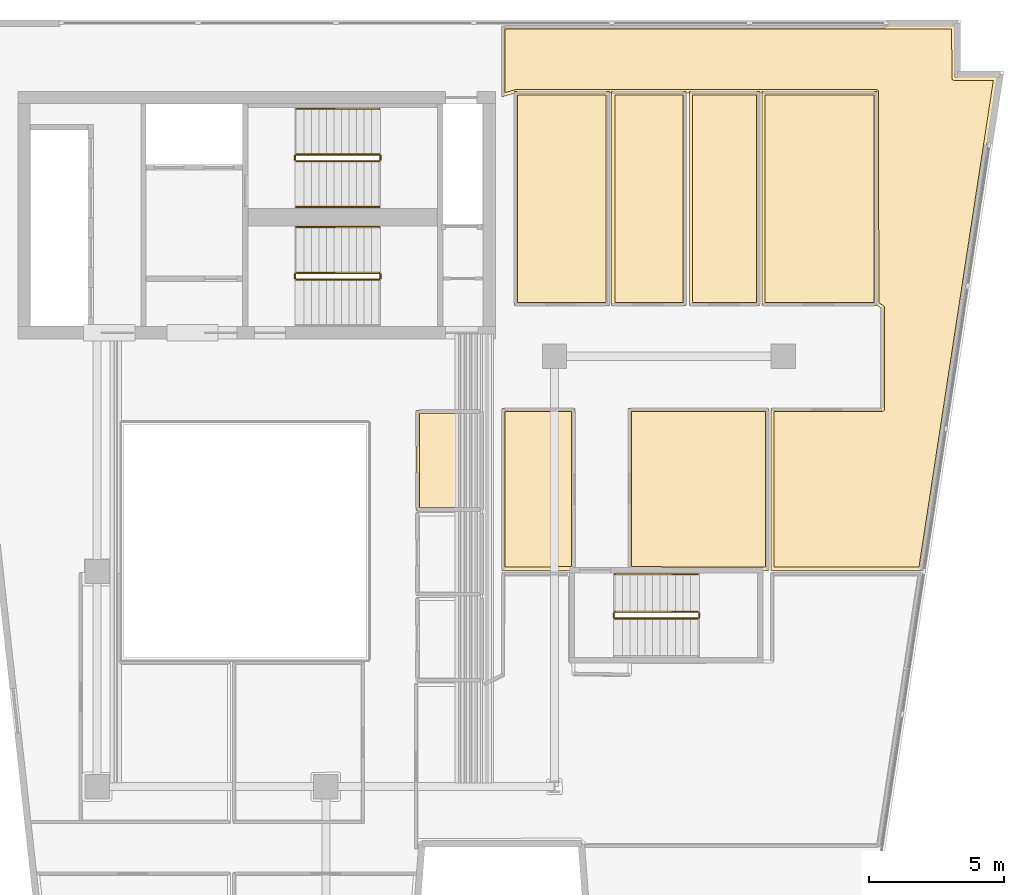
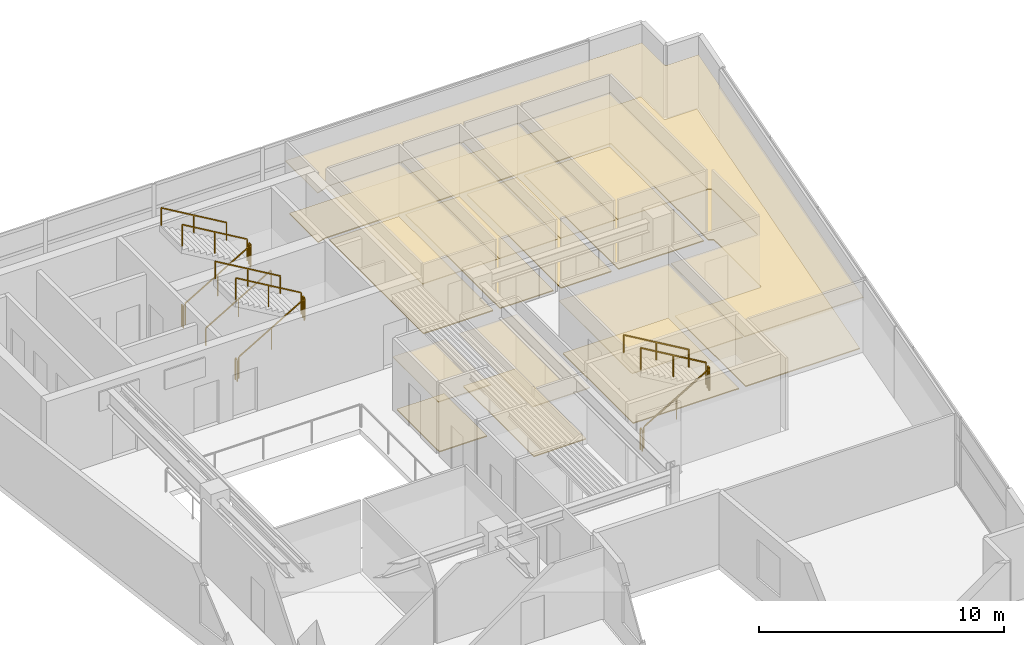
# One storey, part 8 of 8: 16 coverings, 16 railings.
"""IFC4 building model written with IfcOpenShell, lengths in metres."""

import ifcopenshell
import ifcopenshell.guid

model = None  # the IFC model being written
_history = None  # IfcOwnerHistory: only IFC2X3 demands one
_inside = {}  # id of a spatial element -> (the spatial element, [elements in it])
_under = {}  # id of a project, library or spatial element -> (it, [spatial elements below it])
_declared = {}  # id of a project -> (the project, [libraries it declares])
_typed = {}  # id of a type object -> (the type object, [elements of that type])
_made_of = {}  # id of a material, layer set ... -> (it, [elements and type objects made of it])


def new_model(schema):
    """Start an empty IFC model of exactly this schema.

    Asked for "IFC4X3", IfcOpenShell would pick the latest addendum, in which some entities
    have other attributes; the version numbers below select the first issue.
    IFC2X3 requires an IfcOwnerHistory on every rooted entity: one is made here for all.
    """
    global model, _history
    if schema == "IFC4X3":
        model = ifcopenshell.file(schema_version=(4, 3, 0, 0))
    else:
        model = ifcopenshell.file(schema=schema)
    _inside.clear()
    _under.clear()
    _declared.clear()
    _typed.clear()
    _made_of.clear()
    _history = None
    if model.schema == "IFC2X3":
        org = make("IfcOrganization", Name="unknown")
        user = make(
            "IfcPersonAndOrganization",
            ThePerson=make("IfcPerson", FamilyName="unknown"),
            TheOrganization=org,
        )
        app = make(
            "IfcApplication",
            ApplicationDeveloper=org,
            Version="unknown",
            ApplicationFullName="unknown",
            ApplicationIdentifier="unknown",
        )
        _history = make(
            "IfcOwnerHistory",
            OwningUser=user,
            OwningApplication=app,
            ChangeAction="ADDED",
            CreationDate=0,
        )
    return model


def make(cls, **values):
    """One entity of the class cls with the attributes given. An attribute that is None is left unset."""
    return model.create_entity(
        cls, **{name: value for name, value in values.items() if value is not None}
    )


def rooted(cls, **values):
    """An entity with a GlobalId (a new one), such as an element, a storey or a relation."""
    return make(cls, GlobalId=ifcopenshell.guid.new(), OwnerHistory=_history, **values)


def si_unit(unit_type, name, prefix=None):
    """IfcSIUnit, for example si_unit("LENGTHUNIT", "METRE", prefix="MILLI")."""
    return make("IfcSIUnit", UnitType=unit_type, Prefix=prefix, Name=name)


def assignment(units):
    """IfcUnitAssignment: the units of a project."""
    return None if units is None else make("IfcUnitAssignment", Units=units)


def point(xyz):
    """IfcCartesianPoint."""
    return None if xyz is None else make("IfcCartesianPoint", Coordinates=xyz)


def direction(xyz):
    """IfcDirection."""
    return None if xyz is None else make("IfcDirection", DirectionRatios=xyz)


def frame(location, z_axis=None, x_axis=None):
    """IfcAxis2Placement3D, a coordinate frame: its origin and axes. An axis left out is left unset."""
    return make(
        "IfcAxis2Placement3D",
        Location=point(location),
        Axis=direction(z_axis),
        RefDirection=direction(x_axis),
    )


def frame_2d(location, x_axis=None):
    """IfcAxis2Placement2D, a coordinate frame in the plane: its origin and x axis."""
    return make(
        "IfcAxis2Placement2D", Location=point(location), RefDirection=direction(x_axis)
    )


def origin():
    """The frame at (0, 0, 0) with its axes left unset."""
    return frame((0.0, 0.0, 0.0))


def origin_2d():
    """The frame at (0, 0) in the plane with its x axis left unset."""
    return frame_2d((0.0, 0.0))


def place(relative_to, where):
    """IfcLocalPlacement: puts the frame where relative to a parent placement (None: the world)."""
    return make(
        "IfcLocalPlacement", PlacementRelTo=relative_to, RelativePlacement=where
    )


def context(
    kind, dimensions, precision=None, world=None, true_north=None, identifier=None
):
    """IfcGeometricRepresentationContext, for example the 3D "Model" context."""
    return make(
        "IfcGeometricRepresentationContext",
        ContextIdentifier=identifier,
        ContextType=kind,
        CoordinateSpaceDimension=dimensions,
        Precision=precision,
        WorldCoordinateSystem=world,
        TrueNorth=true_north,
    )


def subcontext(parent, identifier, kind, view, scale=None):
    """IfcGeometricRepresentationSubContext, for example "Body" below "Model"."""
    return make(
        "IfcGeometricRepresentationSubContext",
        ContextIdentifier=identifier,
        ContextType=kind,
        ParentContext=parent,
        TargetScale=scale,
        TargetView=view,
    )


def project(units=None, contexts=None):
    """IfcProject with its units and contexts."""
    return rooted(
        "IfcProject",
        Name="project",
        RepresentationContexts=contexts,
        UnitsInContext=assignment(units),
    )


def spatial(cls, under=None, at=None, **own):
    """A site, building, storey or space (cls), placed at a placement, below another one or the project."""
    s = rooted(cls, ObjectPlacement=at, **own)
    if under is not None:
        _under.setdefault(under.id(), (under, []))[1].append(s)
    return s


def polyline(points):
    """IfcPolyline through the points."""
    return make("IfcPolyline", Points=[point(p) for p in points])


def profile(cls, at=None, kind="AREA", **sizes):
    """A parametric profile (cls). Its sizes go by their IFC names, for example OverallWidth=200.0."""
    return make(cls, ProfileType=kind, Position=at, **sizes)


def rectangle(**sizes):
    """IfcRectangleProfileDef."""
    return profile("IfcRectangleProfileDef", **sizes)


def outline(outer, holes=None, kind="AREA"):
    """IfcArbitraryClosedProfileDef: a profile drawn as a closed curve; with holes, ...WithVoids."""
    if holes is None:
        return make("IfcArbitraryClosedProfileDef", ProfileType=kind, OuterCurve=outer)
    return make(
        "IfcArbitraryProfileDefWithVoids",
        ProfileType=kind,
        OuterCurve=outer,
        InnerCurves=holes,
    )


def extrude(swept, where, along, depth):
    """IfcExtrudedAreaSolid: the profile swept, set in the frame where, extruded along a direction by depth."""
    return make(
        "IfcExtrudedAreaSolid",
        SweptArea=swept,
        Position=where,
        ExtrudedDirection=direction(along),
        Depth=depth,
    )


def shape(context_of_items, identifier, shape_type, items):
    """IfcShapeRepresentation: the items that make up one representation, for example the "Body"."""
    return make(
        "IfcShapeRepresentation",
        ContextOfItems=context_of_items,
        RepresentationIdentifier=identifier,
        RepresentationType=shape_type,
        Items=items,
    )


def material(Name=None, Category=None):
    """IfcMaterial."""
    return make("IfcMaterial", Name=Name, Category=Category)


def layer(
    of_material, thickness, ventilated=None, Name=None, Category=None, Priority=None
):
    """IfcMaterialLayer: one layer of a wall or slab, of a material (None: an air gap)."""
    return make(
        "IfcMaterialLayer",
        Material=of_material,
        LayerThickness=thickness,
        IsVentilated=ventilated,
        Name=Name,
        Category=Category,
        Priority=Priority,
    )


def layer_set(layers, Name=None):
    """IfcMaterialLayerSet."""
    return make("IfcMaterialLayerSet", MaterialLayers=layers, LayerSetName=Name)


def made_of(thing, what):
    """Note that an element or type object is made of a material, layer set ...; save() writes the relation."""
    if what is not None:
        _made_of.setdefault(what.id(), (what, []))[1].append(thing)
    return thing


def type_object(cls, material=None, **own):
    """A type object (cls), such as IfcWallType, which elements share."""
    return made_of(rooted(cls, **own), material)


def element(
    cls,
    number,
    at=None,
    inside=None,
    cuts=None,
    type_object=None,
    material=None,
    context=None,
    identifier="Body",
    shape_type=None,
    held_by="IfcProductDefinitionShape",
    body=None,
    shapes=None,
    **own,
):
    """One element of the class cls, such as IfcWall. Its Tag is "e" and its number.

    at: its placement. inside: the storey or other place that contains it. cuts: it is an
    opening in that element (IfcRelVoidsElement). A single representation is given by context,
    identifier, shape_type and body (its items); several are given by shapes. held_by: the class
    of the entity that holds the representations. save() writes the other relations.
    """
    e = rooted(cls, Tag="e%d" % number, ObjectPlacement=at, **own)
    if body is not None:
        shapes = [shape(context, identifier, shape_type, body)]
    if shapes is not None:
        e.Representation = make(held_by, Representations=shapes)
    if inside is not None:
        _inside.setdefault(inside.id(), (inside, []))[1].append(e)
    if cuts is not None:
        rooted(
            "IfcRelVoidsElement", RelatingBuildingElement=cuts, RelatedOpeningElement=e
        )
    if type_object is not None:
        _typed.setdefault(type_object.id(), (type_object, []))[1].append(e)
    return made_of(e, material)


def aggregate(whole, parts):
    """IfcRelAggregates: a whole, such as a stair, and the parts it consists of."""
    return rooted("IfcRelAggregates", RelatingObject=whole, RelatedObjects=parts)


def save(model, path):
    """Write the relations noted so far, then the file.

    IfcRelAggregates (storeys below a building ...), IfcRelContainedInSpatialStructure (elements
    in a storey), IfcRelDefinesByType, IfcRelAssociatesMaterial and IfcRelDeclares: one each for
    every whole, place, type object, material and project.
    """
    for whole, parts in _under.values():
        aggregate(whole, parts)
    for where, things in _inside.values():
        rooted(
            "IfcRelContainedInSpatialStructure",
            RelatedElements=things,
            RelatingStructure=where,
        )
    for kind, things in _typed.values():
        rooted("IfcRelDefinesByType", RelatedObjects=things, RelatingType=kind)
    for what, things in _made_of.values():
        rooted("IfcRelAssociatesMaterial", RelatedObjects=things, RelatingMaterial=what)
    for by, libraries in _declared.values():
        rooted("IfcRelDeclares", RelatingContext=by, RelatedDefinitions=libraries)
    model.write(path)


model = new_model("IFC4")

# Units and contexts
model_context = context("Model", 3, precision=1e-05, world=origin(), true_north=direction((0.0, 1.0)))
body_context = subcontext(model_context, "Body", "Model", "MODEL_VIEW")
ifc_project = project(units=[si_unit("LENGTHUNIT", "METRE"), si_unit("AREAUNIT", "SQUARE_METRE"), si_unit("VOLUMEUNIT", "CUBIC_METRE"), si_unit("PLANEANGLEUNIT", "RADIAN"), si_unit("MASSUNIT", "GRAM", prefix="KILO")], contexts=[model_context])

# Site, building, storey
site_placement = place(None, origin())
site = spatial("IfcSite", under=ifc_project, at=site_placement, CompositionType="ELEMENT")
building_placement = place(site_placement, origin())
building = spatial("IfcBuilding", under=site, at=building_placement, Name="Caeloran Harvest Quay", CompositionType="ELEMENT")
storey_placement = place(building_placement, frame((0.0, 0.0, 246.949951171875)))
storey = spatial("IfcBuildingStorey", under=building, at=storey_placement, Name="L59", CompositionType="ELEMENT", Elevation=246.949951171875)

# Coverings
ifc_material_1 = material(Name="Perforated Mineral-Fibre Acoustic Ceiling Tile", Category="ceiling")
ifc_layer_1 = layer(ifc_material_1, 0.0400390625, Name="Perforated Mineral-Fibre Acoustic Ceiling Tile")
ifc_layer_set_1 = layer_set([ifc_layer_1], Name="Perforated Mineral-Fibre Acoustic Ceiling Tile")
covering_type_1 = type_object("IfcCoveringType", Name="COV-CEILING-ACOUSTIC", PredefinedType="CEILING", material=ifc_layer_set_1)
covering_1_placement = place(storey_placement, frame((0.0, 0.0, 2.60009765625)))
element("IfcCovering", 1, at=covering_1_placement, inside=storey, type_object=covering_type_1, Name="L59 Bioinformatics Briefing Lounge Acoustic Ceiling", PredefinedType="CEILING", context=body_context, shape_type="SweptSolid", body=[
    extrude(outline(polyline([(27.5400390625, 40.840087890625), (27.5400390625, 32.8798828125), (24.010009765625, 32.8798828125), (24.010009765625, 40.840087890625), (27.5400390625, 40.840087890625)])), origin(), (0.0, 0.0, 1.0), 0.0400390625),
])
covering_2_placement = place(storey_placement, frame((0.0, 0.0, 2.60009765625)))
element("IfcCovering", 2, at=covering_2_placement, inside=storey, type_object=covering_type_1, Name="L59 Seed Imaging Laboratory Acoustic Ceiling", PredefinedType="CEILING", context=body_context, shape_type="SweptSolid", body=[
    extrude(outline(polyline([(30.389892578125, 40.840087890625), (30.389892578125, 32.8798828125), (27.6201171875, 32.8798828125), (27.6201171875, 40.840087890625), (30.389892578125, 40.840087890625)])), origin(), (0.0, 0.0, 1.0), 0.0400390625),
])
covering_3_placement = place(storey_placement, frame((0.0, 0.0, 2.60009765625)))
element("IfcCovering", 3, at=covering_3_placement, inside=storey, type_object=covering_type_1, Name="L59 Genomics Seminar West Room Acoustic Ceiling", PredefinedType="CEILING", context=body_context, shape_type="SweptSolid", body=[
    extrude(outline(polyline([(33.1298828125, 40.840087890625), (33.1298828125, 32.8798828125), (30.510009765625, 32.8798828125), (30.510009765625, 40.840087890625), (33.1298828125, 40.840087890625)])), origin(), (0.0, 0.0, 1.0), 0.0400390625),
])
covering_4_placement = place(storey_placement, frame((0.0, 0.0, 2.60009765625)))
element("IfcCovering", 4, at=covering_4_placement, inside=storey, type_object=covering_type_1, Name="L59 Executive Archive East Studio Acoustic Ceiling", PredefinedType="CEILING", context=body_context, shape_type="SweptSolid", body=[
    extrude(outline(polyline([(37.489990234375, 40.840087890625), (37.489990234375, 32.8798828125), (33.2099609375, 32.8798828125), (33.2099609375, 40.840087890625), (37.489990234375, 40.840087890625)])), origin(), (0.0, 0.0, 1.0), 0.0400390625),
])
covering_5_placement = place(storey_placement, frame((0.0, 0.0, 2.60009765625)))
element("IfcCovering", 5, at=covering_5_placement, inside=storey, type_object=covering_type_1, Name="L59 Male Washroom WC Acoustic Ceiling", PredefinedType="CEILING", context=body_context, shape_type="SweptSolid", body=[
    extrude(outline(polyline([(22.840087890625, 28.989990234375), (22.840087890625, 25.260009765625), (20.360107421875, 25.260009765625), (20.360107421875, 28.989990234375), (22.840087890625, 28.989990234375)])), origin(), (0.0, 0.0, 1.0), 0.0400390625),
])
covering_6_placement = place(storey_placement, frame((0.0, 0.0, 2.60009765625)))
element("IfcCovering", 6, at=covering_6_placement, inside=storey, type_object=covering_type_1, Name="Model Workshop Laboratory Acoustic Ceiling", PredefinedType="CEILING", context=body_context, shape_type="SweptSolid", body=[
    extrude(outline(polyline([(26.13720703125, 23.06005859375), (26.1298828125, 23.0400390625), (23.5400390625, 23.0400390625), (23.5400390625, 29.06005859375), (26.260009765625, 29.06005859375), (26.260009765625, 23.06005859375), (26.13720703125, 23.06005859375)])), origin(), (0.0, 0.0, 1.0), 0.0400390625),
])
covering_7_placement = place(storey_placement, frame((0.0, 0.0, 2.60009765625)))
element("IfcCovering", 7, at=covering_7_placement, inside=storey, type_object=covering_type_1, Name="Sustainable Urbanism Advisory Office 7 Acoustic Ceiling", PredefinedType="CEILING", context=body_context, shape_type="SweptSolid", body=[
    extrude(outline(polyline([(33.162841796875, 23.06005859375), (28.239990234375, 23.06005859375), (28.239990234375, 29.06005859375), (33.4599609375, 29.06005859375), (33.4599609375, 23.0400390625), (33.170166015625, 23.0400390625), (33.162841796875, 23.06005859375)])), origin(), (0.0, 0.0, 1.0), 0.0400390625),
])
covering_8_placement = place(storey_placement, frame((0.0, 0.0, 2.60009765625)))
element("IfcCovering", 8, at=covering_8_placement, inside=storey, type_object=covering_type_1, Name="GIS Spatial Modelling Lab 8 Acoustic Ceiling", PredefinedType="CEILING", context=body_context, shape_type="SweptSolid", body=[
    extrude(outline(polyline([(23.5400390625, 40.63916015625), (23.5400390625, 43.280029296875), (40.3798828125, 43.280029296875), (40.3798828125, 41.3798828125), (41.95361328125, 41.3798828125), (39.151611328125, 23.0400390625), (33.5400390625, 23.0400390625), (33.5400390625, 29.06005859375), (37.639892578125, 29.06005859375), (37.639892578125, 32.79931640625), (37.43994140625, 32.909912109375), (37.43994140625, 40.7900390625), (24.0556640625, 40.7900390625), (23.5400390625, 40.63916015625)])), origin(), (0.0, 0.0, 1.0), 0.0400390625),
])
ifc_material_2 = material(Name="Calcium-Sulphate Raised Access Floor and Terrazzo Finish", Category="flooring")
ifc_layer_2 = layer(ifc_material_2, 0.050048828125, Name="Calcium-Sulphate Raised Access Floor and Terrazzo Finish")
ifc_layer_set_2 = layer_set([ifc_layer_2], Name="Calcium-Sulphate Raised Access Floor and Terrazzo Finish")
covering_type_2 = type_object("IfcCoveringType", Name="COV-FLOOR-RAISED", PredefinedType="FLOORING", material=ifc_layer_set_2)
covering_9_placement = place(storey_placement, origin())
element("IfcCovering", 9, at=covering_9_placement, inside=storey, type_object=covering_type_2, Name="L59 Bioinformatics Briefing Lounge Raised Finish Flooring", PredefinedType="FLOORING", context=body_context, shape_type="SweptSolid", body=[
    extrude(outline(polyline([(27.419921875, 40.719970703125), (27.419921875, 33.0), (24.1298828125, 33.0), (24.1298828125, 40.719970703125), (27.419921875, 40.719970703125)])), origin(), (0.0, 0.0, 1.0), 0.050048828125),
])
covering_10_placement = place(storey_placement, origin())
element("IfcCovering", 10, at=covering_10_placement, inside=storey, type_object=covering_type_2, Name="L59 Seed Imaging Laboratory Raised Finish Flooring", PredefinedType="FLOORING", context=body_context, shape_type="SweptSolid", body=[
    extrude(outline(polyline([(30.27001953125, 40.719970703125), (30.27001953125, 33.0), (27.739990234375, 33.0), (27.739990234375, 40.719970703125), (30.27001953125, 40.719970703125)])), origin(), (0.0, 0.0, 1.0), 0.050048828125),
])
covering_11_placement = place(storey_placement, origin())
element("IfcCovering", 11, at=covering_11_placement, inside=storey, type_object=covering_type_2, Name="L59 Genomics Seminar West Room Raised Finish Flooring", PredefinedType="FLOORING", context=body_context, shape_type="SweptSolid", body=[
    extrude(outline(polyline([(33.010009765625, 40.719970703125), (33.010009765625, 33.0), (30.6298828125, 33.0), (30.6298828125, 40.719970703125), (33.010009765625, 40.719970703125)])), origin(), (0.0, 0.0, 1.0), 0.050048828125),
])
covering_12_placement = place(storey_placement, origin())
element("IfcCovering", 12, at=covering_12_placement, inside=storey, type_object=covering_type_2, Name="L59 Executive Archive East Studio Raised Finish Flooring", PredefinedType="FLOORING", context=body_context, shape_type="SweptSolid", body=[
    extrude(outline(polyline([(37.3701171875, 40.719970703125), (37.3701171875, 33.0), (33.330078125, 33.0), (33.330078125, 40.719970703125), (37.3701171875, 40.719970703125)])), origin(), (0.0, 0.0, 1.0), 0.050048828125),
])
covering_13_placement = place(storey_placement, origin())
element("IfcCovering", 13, at=covering_13_placement, inside=storey, type_object=covering_type_2, Name="L59 Male Washroom WC Raised Finish Flooring", PredefinedType="FLOORING", context=body_context, shape_type="SweptSolid", body=[
    extrude(outline(polyline([(22.719970703125, 28.8701171875), (22.719970703125, 25.3798828125), (20.47998046875, 25.3798828125), (20.47998046875, 28.8701171875), (22.719970703125, 28.8701171875)])), origin(), (0.0, 0.0, 1.0), 0.050048828125),
])
covering_14_placement = place(storey_placement, origin())
element("IfcCovering", 14, at=covering_14_placement, inside=storey, type_object=covering_type_2, Name="Model Workshop Laboratory Raised Finish Flooring", PredefinedType="FLOORING", context=body_context, shape_type="SweptSolid", body=[
    extrude(outline(polyline([(26.139892578125, 23.179931640625), (23.659912109375, 23.159912109375), (23.659912109375, 28.93994140625), (26.139892578125, 28.93994140625), (26.139892578125, 23.179931640625)])), origin(), (0.0, 0.0, 1.0), 0.050048828125),
])
covering_15_placement = place(storey_placement, origin())
element("IfcCovering", 15, at=covering_15_placement, inside=storey, type_object=covering_type_2, Name="Sustainable Urbanism Advisory Office 7 Raised Finish Flooring", PredefinedType="FLOORING", context=body_context, shape_type="SweptSolid", body=[
    extrude(outline(polyline([(33.340087890625, 23.159912109375), (28.360107421875, 23.179931640625), (28.360107421875, 28.93994140625), (33.340087890625, 28.93994140625), (33.340087890625, 23.159912109375)])), origin(), (0.0, 0.0, 1.0), 0.050048828125),
])
covering_16_placement = place(storey_placement, origin())
element("IfcCovering", 16, at=covering_16_placement, inside=storey, type_object=covering_type_2, Name="GIS Spatial Modelling Lab 8 Raised Finish Flooring", PredefinedType="FLOORING", context=body_context, shape_type="SweptSolid", body=[
    extrude(outline(polyline([(23.659912109375, 40.79931640625), (23.659912109375, 43.159912109375), (40.260009765625, 43.159912109375), (40.2783203125, 41.289306640625), (40.340087890625, 41.260009765625), (41.813720703125, 41.260009765625), (39.048583984375, 23.159912109375), (33.659912109375, 23.159912109375), (33.659912109375, 28.93994140625), (37.679931640625, 28.93994140625), (37.758544921875, 29.00439453125), (37.759521484375, 32.830810546875), (37.72509765625, 32.888916015625), (37.56005859375, 32.980712890625), (37.541748046875, 40.880859375), (37.47998046875, 40.909912109375), (24.050048828125, 40.909912109375), (23.659912109375, 40.79931640625)])), origin(), (0.0, 0.0, 1.0), 0.050048828125),
])

# Railings
ifc_material_3 = material(Name="Painted Steel Baluster and Top-Rail Stair Guard", Category="steel")
ifc_layer_3 = layer(ifc_material_3, 0.050048828125, Name="Painted Steel Baluster and Top-Rail Stair Guard")
ifc_layer_set_3 = layer_set([ifc_layer_3], Name="Painted Steel Baluster and Top-Rail Stair Guard")
railing_type_1 = type_object("IfcRailingType", Name="STAIR-GUARD-1100", PredefinedType="GUARDRAIL", material=ifc_layer_set_3)
railing_1_placement = place(storey_placement, frame((15.89990234375, 38.25, 0.16455078125)))
element("IfcRailing", 17, at=railing_1_placement, inside=storey, type_object=railing_type_1, Name="L59 ST-C1 stair guard 1", PredefinedType="GUARDRAIL", context=body_context, shape_type="SweptSolid", body=[
    extrude(rectangle(XDim=0.048095703125, YDim=0.048095703125, at=origin_2d()), frame((0.0, 0.0, 1.076171875), z_axis=(0.862088758681, 0.0, 0.506757310905), x_axis=(0.0, 1.0, 0.0)), (0.0, 0.0, 1.0), 3.57275390625),
    extrude(rectangle(XDim=0.0419921875, YDim=0.0419921875, at=origin_2d()), origin(), (0.0, 0.0, 1.0), 1.052001953125),
    extrude(rectangle(XDim=0.0419921875, YDim=0.0419921875, at=origin_2d()), frame((1.5400390625, 0.0, 0.9052734375)), (0.0, 0.0, 1.0), 1.052001953125),
    extrude(rectangle(XDim=0.0419921875, YDim=0.0419921875, at=origin_2d()), frame((3.080078125, 0.0, 1.810546875)), (0.0, 0.0, 1.0), 1.052001953125),
])
railing_2_placement = place(storey_placement, frame((19.030029296875, 38.300048828125, 1.97509765625)))
element("IfcRailing", 18, at=railing_2_placement, inside=storey, type_object=railing_type_1, Name="L59 ST-C1 stair guard 2", PredefinedType="GUARDRAIL", context=body_context, shape_type="SweptSolid", body=[
    extrude(rectangle(XDim=0.048095703125, YDim=0.048095703125, at=origin_2d()), frame((0.0, 0.0, 1.076171875), z_axis=(0.0, 1.0, 0.0), x_axis=(-1.0, 0.0, 0.0)), (0.0, 0.0, 1.0), 0.14990234375),
    extrude(rectangle(XDim=0.0419921875, YDim=0.0419921875, at=origin_2d()), origin(), (0.0, 0.0, 1.0), 1.052001953125),
    extrude(rectangle(XDim=0.0419921875, YDim=0.0419921875, at=origin_2d()), frame((0.0, 0.14990234375, 0.0)), (0.0, 0.0, 1.0), 1.052001953125),
])
railing_3_placement = place(storey_placement, frame((18.97998046875, 38.5, 2.1396484375)))
element("IfcRailing", 19, at=railing_3_placement, inside=storey, type_object=railing_type_1, Name="L59 ST-C1 stair guard 3", PredefinedType="GUARDRAIL", context=body_context, shape_type="SweptSolid", body=[
    extrude(rectangle(XDim=0.048095703125, YDim=0.048095703125, at=origin_2d()), frame((0.0, 0.0, 1.076171875), z_axis=(-0.862118610829, 0.0, 0.506706523406), x_axis=(0.0, -1.0, 0.0)), (0.0, 0.0, 1.0), 3.57275390625),
    extrude(rectangle(XDim=0.0419921875, YDim=0.0419921875, at=origin_2d()), origin(), (0.0, 0.0, 1.0), 1.052001953125),
    extrude(rectangle(XDim=0.0419921875, YDim=0.0419921875, at=origin_2d()), frame((-1.5400390625, 0.0, 0.9052734375)), (0.0, 0.0, 1.0), 1.052001953125),
    extrude(rectangle(XDim=0.0419921875, YDim=0.0419921875, at=origin_2d()), frame((-3.080078125, 0.0, 1.810302734375)), (0.0, 0.0, 1.0), 1.052001953125),
])
railing_4_placement = place(storey_placement, frame((15.85009765625, 38.300048828125, 0.0)))
element("IfcRailing", 20, at=railing_4_placement, inside=storey, type_object=railing_type_1, Name="L59 ST-C1 stair guard 4", PredefinedType="GUARDRAIL", context=body_context, shape_type="SweptSolid", body=[
    extrude(rectangle(XDim=0.048095703125, YDim=0.048095703125, at=origin_2d()), frame((0.0, 0.0, 1.076171875), z_axis=(0.0, 1.0, 0.0), x_axis=(-1.0, 0.0, 0.0)), (0.0, 0.0, 1.0), 0.14990234375),
    extrude(rectangle(XDim=0.0419921875, YDim=0.0419921875, at=origin_2d()), origin(), (0.0, 0.0, 1.0), 1.052001953125),
    extrude(rectangle(XDim=0.0419921875, YDim=0.0419921875, at=origin_2d()), frame((0.0, 0.14990234375, 0.0)), (0.0, 0.0, 1.0), 1.052001953125),
])
railing_5_placement = place(storey_placement, frame((15.89990234375, 33.85009765625, 0.16455078125)))
element("IfcRailing", 21, at=railing_5_placement, inside=storey, type_object=railing_type_1, Name="L59 ST-C2 stair guard 1", PredefinedType="GUARDRAIL", context=body_context, shape_type="SweptSolid", body=[
    extrude(rectangle(XDim=0.048095703125, YDim=0.048095703125, at=origin_2d()), frame((0.0, 0.0, 1.076171875), z_axis=(0.862088758681, 0.0, 0.506757310905), x_axis=(0.0, 1.0, 0.0)), (0.0, 0.0, 1.0), 3.57275390625),
    extrude(rectangle(XDim=0.0419921875, YDim=0.0419921875, at=origin_2d()), origin(), (0.0, 0.0, 1.0), 1.052001953125),
    extrude(rectangle(XDim=0.0419921875, YDim=0.0419921875, at=origin_2d()), frame((1.5400390625, 0.0, 0.9052734375)), (0.0, 0.0, 1.0), 1.052001953125),
    extrude(rectangle(XDim=0.0419921875, YDim=0.0419921875, at=origin_2d()), frame((3.080078125, 0.0, 1.810546875)), (0.0, 0.0, 1.0), 1.052001953125),
])
railing_6_placement = place(storey_placement, frame((19.030029296875, 33.89990234375, 1.97509765625)))
element("IfcRailing", 22, at=railing_6_placement, inside=storey, type_object=railing_type_1, Name="L59 ST-C2 stair guard 2", PredefinedType="GUARDRAIL", context=body_context, shape_type="SweptSolid", body=[
    extrude(rectangle(XDim=0.048095703125, YDim=0.048095703125, at=origin_2d()), frame((0.0, 0.0, 1.076171875), z_axis=(0.0, 1.0, 0.0), x_axis=(-1.0, 0.0, 0.0)), (0.0, 0.0, 1.0), 0.150146484375),
    extrude(rectangle(XDim=0.0419921875, YDim=0.0419921875, at=origin_2d()), origin(), (0.0, 0.0, 1.0), 1.052001953125),
    extrude(rectangle(XDim=0.0419921875, YDim=0.0419921875, at=origin_2d()), frame((0.0, 0.150146484375, 0.0)), (0.0, 0.0, 1.0), 1.052001953125),
])
railing_7_placement = place(storey_placement, frame((18.97998046875, 34.10009765625, 2.1396484375)))
element("IfcRailing", 23, at=railing_7_placement, inside=storey, type_object=railing_type_1, Name="L59 ST-C2 stair guard 3", PredefinedType="GUARDRAIL", context=body_context, shape_type="SweptSolid", body=[
    extrude(rectangle(XDim=0.048095703125, YDim=0.048095703125, at=origin_2d()), frame((0.0, 0.0, 1.076171875), z_axis=(-0.862118610829, 0.0, 0.506706523406), x_axis=(0.0, -1.0, 0.0)), (0.0, 0.0, 1.0), 3.57275390625),
    extrude(rectangle(XDim=0.0419921875, YDim=0.0419921875, at=origin_2d()), origin(), (0.0, 0.0, 1.0), 1.052001953125),
    extrude(rectangle(XDim=0.0419921875, YDim=0.0419921875, at=origin_2d()), frame((-1.5400390625, 0.0, 0.9052734375)), (0.0, 0.0, 1.0), 1.052001953125),
    extrude(rectangle(XDim=0.0419921875, YDim=0.0419921875, at=origin_2d()), frame((-3.080078125, 0.0, 1.810302734375)), (0.0, 0.0, 1.0), 1.052001953125),
])
railing_8_placement = place(storey_placement, frame((15.85009765625, 33.89990234375, 0.0)))
element("IfcRailing", 24, at=railing_8_placement, inside=storey, type_object=railing_type_1, Name="L59 ST-C2 stair guard 4", PredefinedType="GUARDRAIL", context=body_context, shape_type="SweptSolid", body=[
    extrude(rectangle(XDim=0.048095703125, YDim=0.048095703125, at=origin_2d()), frame((0.0, 0.0, 1.076171875), z_axis=(0.0, 1.0, 0.0), x_axis=(-1.0, 0.0, 0.0)), (0.0, 0.0, 1.0), 0.150146484375),
    extrude(rectangle(XDim=0.0419921875, YDim=0.0419921875, at=origin_2d()), origin(), (0.0, 0.0, 1.0), 1.052001953125),
    extrude(rectangle(XDim=0.0419921875, YDim=0.0419921875, at=origin_2d()), frame((0.0, 0.150146484375, 0.0)), (0.0, 0.0, 1.0), 1.052001953125),
])
railing_9_placement = place(storey_placement, frame((27.75, 21.25, 0.16455078125)))
element("IfcRailing", 25, at=railing_9_placement, inside=storey, type_object=railing_type_1, Name="L59 ST-W1 stair guard 1", PredefinedType="GUARDRAIL", context=body_context, shape_type="SweptSolid", body=[
    extrude(rectangle(XDim=0.048095703125, YDim=0.048095703125, at=origin_2d()), frame((0.0, 0.0, 1.076171875), z_axis=(0.862088758681, 0.0, 0.506757310905), x_axis=(0.0, 1.0, 0.0)), (0.0, 0.0, 1.0), 3.57275390625),
    extrude(rectangle(XDim=0.0419921875, YDim=0.0419921875, at=origin_2d()), origin(), (0.0, 0.0, 1.0), 1.052001953125),
    extrude(rectangle(XDim=0.0419921875, YDim=0.0419921875, at=origin_2d()), frame((1.5400390625, 0.0, 0.9052734375)), (0.0, 0.0, 1.0), 1.052001953125),
    extrude(rectangle(XDim=0.0419921875, YDim=0.0419921875, at=origin_2d()), frame((3.080078125, 0.0, 1.810546875)), (0.0, 0.0, 1.0), 1.052001953125),
])
railing_10_placement = place(storey_placement, frame((30.8798828125, 21.300048828125, 1.97509765625)))
element("IfcRailing", 26, at=railing_10_placement, inside=storey, type_object=railing_type_1, Name="L59 ST-W1 stair guard 2", PredefinedType="GUARDRAIL", context=body_context, shape_type="SweptSolid", body=[
    extrude(rectangle(XDim=0.048095703125, YDim=0.048095703125, at=origin_2d()), frame((0.0, 0.0, 1.076171875), z_axis=(0.0, 1.0, 0.0), x_axis=(-1.0, 0.0, 0.0)), (0.0, 0.0, 1.0), 0.14990234375),
    extrude(rectangle(XDim=0.0419921875, YDim=0.0419921875, at=origin_2d()), origin(), (0.0, 0.0, 1.0), 1.052001953125),
    extrude(rectangle(XDim=0.0419921875, YDim=0.0419921875, at=origin_2d()), frame((0.0, 0.14990234375, 0.0)), (0.0, 0.0, 1.0), 1.052001953125),
])
railing_11_placement = place(storey_placement, frame((30.830078125, 21.5, 2.1396484375)))
element("IfcRailing", 27, at=railing_11_placement, inside=storey, type_object=railing_type_1, Name="L59 ST-W1 stair guard 3", PredefinedType="GUARDRAIL", context=body_context, shape_type="SweptSolid", body=[
    extrude(rectangle(XDim=0.048095703125, YDim=0.048095703125, at=origin_2d()), frame((0.0, 0.0, 1.076171875), z_axis=(-0.862118610829, 0.0, 0.506706523406), x_axis=(0.0, -1.0, 0.0)), (0.0, 0.0, 1.0), 3.57275390625),
    extrude(rectangle(XDim=0.0419921875, YDim=0.0419921875, at=origin_2d()), origin(), (0.0, 0.0, 1.0), 1.052001953125),
    extrude(rectangle(XDim=0.0419921875, YDim=0.0419921875, at=origin_2d()), frame((-1.5400390625, 0.0, 0.9052734375)), (0.0, 0.0, 1.0), 1.052001953125),
    extrude(rectangle(XDim=0.0419921875, YDim=0.0419921875, at=origin_2d()), frame((-3.080078125, 0.0, 1.810302734375)), (0.0, 0.0, 1.0), 1.052001953125),
])
railing_12_placement = place(storey_placement, frame((27.699951171875, 21.300048828125, 0.0)))
element("IfcRailing", 28, at=railing_12_placement, inside=storey, type_object=railing_type_1, Name="L59 ST-W1 stair guard 4", PredefinedType="GUARDRAIL", context=body_context, shape_type="SweptSolid", body=[
    extrude(rectangle(XDim=0.048095703125, YDim=0.048095703125, at=origin_2d()), frame((0.0, 0.0, 1.076171875), z_axis=(0.0, 1.0, 0.0), x_axis=(-1.0, 0.0, 0.0)), (0.0, 0.0, 1.0), 0.14990234375),
    extrude(rectangle(XDim=0.0419921875, YDim=0.0419921875, at=origin_2d()), origin(), (0.0, 0.0, 1.0), 1.052001953125),
    extrude(rectangle(XDim=0.0419921875, YDim=0.0419921875, at=origin_2d()), frame((0.0, 0.14990234375, 0.0)), (0.0, 0.0, 1.0), 1.052001953125),
])
ifc_material_4 = material(Name="Brushed Stainless Steel Grade 304", Category="steel")
ifc_layer_4 = layer(ifc_material_4, 0.050048828125, Name="Brushed Stainless Steel Grade 304")
ifc_layer_set_4 = layer_set([ifc_layer_4], Name="Brushed Stainless Steel Grade 304")
railing_type_2 = type_object("IfcRailingType", Name="STAIR-HANDRAIL-900", PredefinedType="HANDRAIL", material=ifc_layer_set_4)
railing_13_placement = place(storey_placement, frame((15.89990234375, 36.550048828125, 0.16455078125)))
element("IfcRailing", 29, at=railing_13_placement, inside=storey, type_object=railing_type_2, Name="L59 ST-C1 stair handrail 1", PredefinedType="HANDRAIL", context=body_context, shape_type="SweptSolid", body=[
    extrude(rectangle(XDim=0.048095703125, YDim=0.048095703125, at=origin_2d()), frame((0.0, 0.0, 0.8759765625), z_axis=(0.862088758681, 0.0, 0.506757310905), x_axis=(0.0, 1.0, 0.0)), (0.0, 0.0, 1.0), 3.57275390625),
    extrude(rectangle(XDim=0.0419921875, YDim=0.0419921875, at=origin_2d()), origin(), (0.0, 0.0, 1.0), 0.851806640625),
    extrude(rectangle(XDim=0.0419921875, YDim=0.0419921875, at=origin_2d()), frame((1.5400390625, 0.0, 0.9052734375)), (0.0, 0.0, 1.0), 0.851806640625),
    extrude(rectangle(XDim=0.0419921875, YDim=0.0419921875, at=origin_2d()), frame((3.080078125, 0.0, 1.810546875)), (0.0, 0.0, 1.0), 0.851806640625),
])
for number, where, name in (
    (30, (18.97998046875, 40.199951171875, 2.1396484375), "L59 ST-C1 stair handrail 2"),
    (31, (18.97998046875, 35.800048828125, 2.1396484375), "L59 ST-C2 stair handrail 2"),
    (32, (30.830078125, 22.89990234375, 2.1396484375), "L59 ST-W1 stair handrail 2"),
):
    element("IfcRailing", number, at=place(storey_placement, frame(where)), inside=storey, type_object=railing_type_2, Name=name, PredefinedType="HANDRAIL", context=body_context, shape_type="SweptSolid", body=[
        extrude(rectangle(XDim=0.048095703125, YDim=0.048095703125, at=origin_2d()), frame((0.0, 0.0, 0.8759765625), z_axis=(-0.862118610829, 0.0, 0.506706523406), x_axis=(0.0, -1.0, 0.0)), (0.0, 0.0, 1.0), 3.57275390625),
        extrude(rectangle(XDim=0.0419921875, YDim=0.0419921875, at=origin_2d()), origin(), (0.0, 0.0, 1.0), 0.851806640625),
        extrude(rectangle(XDim=0.0419921875, YDim=0.0419921875, at=origin_2d()), frame((-1.5400390625, 0.0, 0.9052734375)), (0.0, 0.0, 1.0), 0.851806640625),
        extrude(rectangle(XDim=0.0419921875, YDim=0.0419921875, at=origin_2d()), frame((-3.080078125, 0.0, 1.810302734375)), (0.0, 0.0, 1.0), 0.851806640625),
    ])

save(model, "model.ifc")
